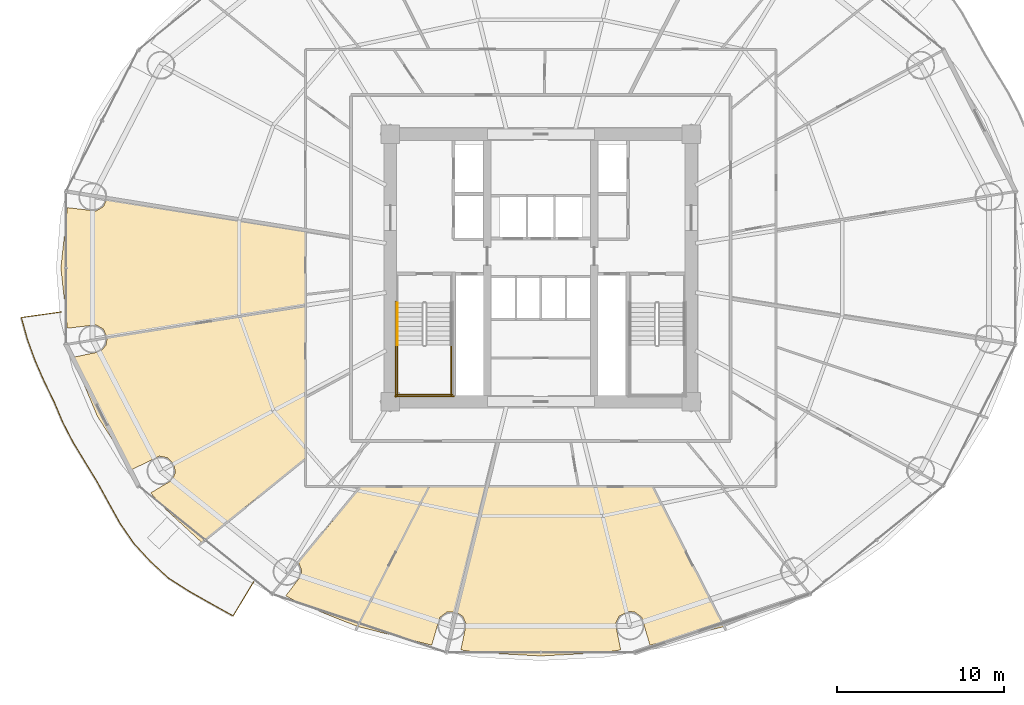
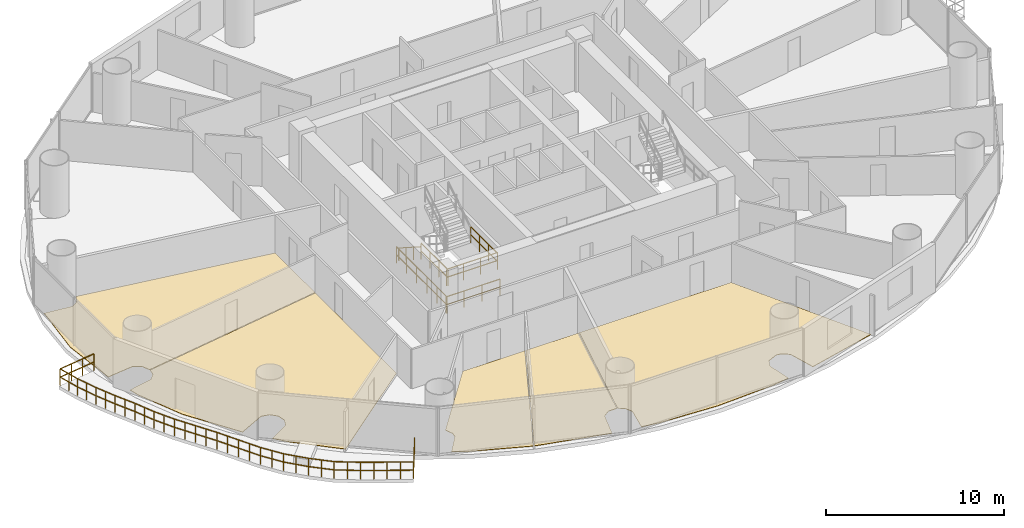
# One storey, part 27 of 30: 7 railings, 5 coverings.
"""IFC4 building model written with IfcOpenShell, lengths in metres."""

from ifc_helpers import new_model, si_unit, direction, frame, origin, origin_2d, place, context, subcontext, project, spatial, polyline, rectangle, outline, extrude, material, layer, layer_set, type_object, element, save


model = new_model("IFC4")

# Units and contexts
model_context = context("Model", 3, precision=1e-05, world=origin(), true_north=direction((-0.2419218956, 0.970295726276)))
body_context = subcontext(model_context, "Body", "Model", "MODEL_VIEW")
ifc_project = project(units=[si_unit("LENGTHUNIT", "METRE"), si_unit("AREAUNIT", "SQUARE_METRE"), si_unit("VOLUMEUNIT", "CUBIC_METRE"), si_unit("PLANEANGLEUNIT", "RADIAN"), si_unit("MASSUNIT", "GRAM", prefix="KILO")], contexts=[model_context])

# Site, building, storey
site_placement = place(None, origin())
site = spatial("IfcSite", under=ifc_project, at=site_placement, CompositionType="ELEMENT")
building_placement = place(site_placement, origin())
building = spatial("IfcBuilding", under=site, at=building_placement, Name="Cobrevalo Terracotta Tower", CompositionType="ELEMENT")
storey_placement = place(building_placement, frame((0.0, 0.0, 31.199951171875)))
storey = spatial("IfcBuildingStorey", under=building, at=storey_placement, Name="L07", CompositionType="ELEMENT", Elevation=31.199951171875)

# Railing
ifc_material_1 = material(Name="Laminated structural glass and stainless steel", Category="steel")
railing_type_1 = type_object("IfcRailingType", Name="Balcony lobe structural glass & terracotta-cap balustrade 1180 mm", PredefinedType="BALUSTRADE", material=ifc_material_1)
railing_1_placement = place(storey_placement, frame((9.30322265625, 24.166748046875, 0.0)))
element("IfcRailing", 1, at=railing_1_placement, inside=storey, type_object=railing_type_1, Name="L07 spiralling balcony lobe balustrade 2", PredefinedType="BALUSTRADE", context=body_context, shape_type="SweptSolid", body=[
    extrude(rectangle(XDim=0.048095703125, YDim=0.048095703125, at=origin_2d()), frame((0.0, 0.0, 1.15576171875), z_axis=(-0.990387818063, -0.138318364047, 0.0), x_axis=(0.138318364047, -0.990387818063, 0.0)), (0.0, 0.0, 1.0), 2.412841796875),
    extrude(rectangle(XDim=0.048095703125, YDim=0.048095703125, at=origin_2d()), frame((0.0, 0.0, 0.58984375), z_axis=(-0.990387818063, -0.138318364047, 0.0), x_axis=(0.138318364047, -0.990387818063, 0.0)), (0.0, 0.0, 1.0), 2.412841796875),
    extrude(rectangle(XDim=0.048095703125, YDim=0.048095703125, at=origin_2d()), frame((-2.3896484375, -0.333740234375, 1.15576171875), z_axis=(0.267736538798, -0.96349216177, 0.0), x_axis=(0.96349216177, 0.267736538798, 0.0)), (0.0, 0.0, 1.0), 1.358642578125),
    extrude(rectangle(XDim=0.048095703125, YDim=0.048095703125, at=origin_2d()), frame((-2.3896484375, -0.333740234375, 0.58984375), z_axis=(0.267736538798, -0.96349216177, 0.0), x_axis=(0.96349216177, 0.267736538798, 0.0)), (0.0, 0.0, 1.0), 1.358642578125),
    extrude(rectangle(XDim=0.048095703125, YDim=0.048095703125, at=origin_2d()), frame((-2.02587890625, -1.642822265625, 1.15576171875), z_axis=(0.342089262851, -0.939667460457, 0.0), x_axis=(0.939667460457, 0.342089262851, 0.0)), (0.0, 0.0, 1.0), 1.35888671875),
    extrude(rectangle(XDim=0.048095703125, YDim=0.048095703125, at=origin_2d()), frame((-2.02587890625, -1.642822265625, 0.58984375), z_axis=(0.342089262851, -0.939667460457, 0.0), x_axis=(0.939667460457, 0.342089262851, 0.0)), (0.0, 0.0, 1.0), 1.35888671875),
    extrude(rectangle(XDim=0.048095703125, YDim=0.048095703125, at=origin_2d()), frame((-1.56103515625, -2.919677734375, 1.15576171875), z_axis=(0.40003862441, -0.916498280948, 0.0), x_axis=(0.916498280948, 0.40003862441, 0.0)), (0.0, 0.0, 1.0), 1.34619140625),
    extrude(rectangle(XDim=0.048095703125, YDim=0.048095703125, at=origin_2d()), frame((-1.56103515625, -2.919677734375, 0.58984375), z_axis=(0.40003862441, -0.916498280948, 0.0), x_axis=(0.916498280948, 0.40003862441, 0.0)), (0.0, 0.0, 1.0), 1.34619140625),
    extrude(rectangle(XDim=0.048095703125, YDim=0.048095703125, at=origin_2d()), frame((-1.0224609375, -4.153564453125, 1.15576171875), z_axis=(0.437875913667, -0.899035418785, 0.0), x_axis=(0.899035418785, 0.437875913667, 0.0)), (0.0, 0.0, 1.0), 1.3525390625),
    extrude(rectangle(XDim=0.048095703125, YDim=0.048095703125, at=origin_2d()), frame((-1.0224609375, -4.153564453125, 0.58984375), z_axis=(0.437875913667, -0.899035418785, 0.0), x_axis=(0.899035418785, 0.437875913667, 0.0)), (0.0, 0.0, 1.0), 1.3525390625),
    extrude(rectangle(XDim=0.048095703125, YDim=0.048095703125, at=origin_2d()), frame((-0.43017578125, -5.36962890625, 1.15576171875), z_axis=(0.388162660742, -0.921590879298, 0.0), x_axis=(0.921590879298, 0.388162660742, 0.0)), (0.0, 0.0, 1.0), 1.3427734375),
    extrude(rectangle(XDim=0.048095703125, YDim=0.048095703125, at=origin_2d()), frame((-0.43017578125, -5.36962890625, 0.58984375), z_axis=(0.388162660742, -0.921590879298, 0.0), x_axis=(0.921590879298, 0.388162660742, 0.0)), (0.0, 0.0, 1.0), 1.3427734375),
    extrude(rectangle(XDim=0.048095703125, YDim=0.048095703125, at=origin_2d()), frame((0.091064453125, -6.607177734375, 1.15576171875), z_axis=(0.460375108491, -0.887724483994, 0.0), x_axis=(0.887724483994, 0.460375108491, 0.0)), (0.0, 0.0, 1.0), 1.352783203125),
    extrude(rectangle(XDim=0.048095703125, YDim=0.048095703125, at=origin_2d()), frame((0.091064453125, -6.607177734375, 0.58984375), z_axis=(0.460375108491, -0.887724483994, 0.0), x_axis=(0.887724483994, 0.460375108491, 0.0)), (0.0, 0.0, 1.0), 1.352783203125),
    extrude(rectangle(XDim=0.048095703125, YDim=0.048095703125, at=origin_2d()), frame((0.7138671875, -7.80810546875, 1.15576171875), z_axis=(0.519346255768, -0.854563904351, 0.0), x_axis=(0.854563904351, 0.519346255768, 0.0)), (0.0, 0.0, 1.0), 1.366943359375),
    extrude(rectangle(XDim=0.048095703125, YDim=0.048095703125, at=origin_2d()), frame((0.7138671875, -7.80810546875, 0.58984375), z_axis=(0.519346255768, -0.854563904351, 0.0), x_axis=(0.854563904351, 0.519346255768, 0.0)), (0.0, 0.0, 1.0), 1.366943359375),
    extrude(rectangle(XDim=0.048095703125, YDim=0.048095703125, at=origin_2d()), frame((1.423828125, -8.976318359375, 1.15576171875), z_axis=(0.520950785501, -0.85358671445, 0.0), x_axis=(0.85358671445, 0.520950785501, 0.0)), (0.0, 0.0, 1.0), 1.365234375),
    extrude(rectangle(XDim=0.048095703125, YDim=0.048095703125, at=origin_2d()), frame((1.423828125, -8.976318359375, 0.58984375), z_axis=(0.520950785501, -0.85358671445, 0.0), x_axis=(0.85358671445, 0.520950785501, 0.0)), (0.0, 0.0, 1.0), 1.365234375),
    extrude(rectangle(XDim=0.048095703125, YDim=0.048095703125, at=origin_2d()), frame((2.135009765625, -10.1416015625, 1.15576171875), z_axis=(0.481084803169, -0.876674062671, 0.0), x_axis=(0.876674062671, 0.481084803169, 0.0)), (0.0, 0.0, 1.0), 1.416259765625),
    extrude(rectangle(XDim=0.048095703125, YDim=0.048095703125, at=origin_2d()), frame((2.135009765625, -10.1416015625, 0.58984375), z_axis=(0.481084803169, -0.876674062671, 0.0), x_axis=(0.876674062671, 0.481084803169, 0.0)), (0.0, 0.0, 1.0), 1.416259765625),
    extrude(rectangle(XDim=0.048095703125, YDim=0.048095703125, at=origin_2d()), frame((2.81640625, -11.38330078125, 1.15576171875), z_axis=(0.484651234547, -0.874707483021, 0.0), x_axis=(0.874707483021, 0.484651234547, 0.0)), (0.0, 0.0, 1.0), 1.442626953125),
    extrude(rectangle(XDim=0.048095703125, YDim=0.048095703125, at=origin_2d()), frame((2.81640625, -11.38330078125, 0.58984375), z_axis=(0.484651234547, -0.874707483021, 0.0), x_axis=(0.874707483021, 0.484651234547, 0.0)), (0.0, 0.0, 1.0), 1.442626953125),
    extrude(rectangle(XDim=0.048095703125, YDim=0.048095703125, at=origin_2d()), frame((3.515625, -12.645263671875, 1.15576171875), z_axis=(0.565994587581, -0.824408956058, 0.0), x_axis=(0.824408956058, 0.565994587581, 0.0)), (0.0, 0.0, 1.0), 1.454833984375),
    extrude(rectangle(XDim=0.048095703125, YDim=0.048095703125, at=origin_2d()), frame((3.515625, -12.645263671875, 0.58984375), z_axis=(0.565994587581, -0.824408956058, 0.0), x_axis=(0.824408956058, 0.565994587581, 0.0)), (0.0, 0.0, 1.0), 1.454833984375),
    extrude(rectangle(XDim=0.048095703125, YDim=0.048095703125, at=origin_2d()), frame((4.339111328125, -13.8447265625, 1.15576171875), z_axis=(0.675724628517, -0.737154140201, 0.0), x_axis=(0.737154140201, 0.675724628517, 0.0)), (0.0, 0.0, 1.0), 1.470458984375),
    extrude(rectangle(XDim=0.048095703125, YDim=0.048095703125, at=origin_2d()), frame((4.339111328125, -13.8447265625, 0.58984375), z_axis=(0.675724628517, -0.737154140201, 0.0), x_axis=(0.737154140201, 0.675724628517, 0.0)), (0.0, 0.0, 1.0), 1.470458984375),
    extrude(rectangle(XDim=0.048095703125, YDim=0.048095703125, at=origin_2d()), frame((5.332763671875, -14.9287109375, 1.15576171875), z_axis=(0.734733305892, -0.678356078482, 0.0), x_axis=(0.678356078482, 0.734733305892, 0.0)), (0.0, 0.0, 1.0), 1.468017578125),
    extrude(rectangle(XDim=0.048095703125, YDim=0.048095703125, at=origin_2d()), frame((5.332763671875, -14.9287109375, 0.58984375), z_axis=(0.734733305892, -0.678356078482, 0.0), x_axis=(0.678356078482, 0.734733305892, 0.0)), (0.0, 0.0, 1.0), 1.468017578125),
    extrude(rectangle(XDim=0.048095703125, YDim=0.048095703125, at=origin_2d()), frame((6.411376953125, -15.924560546875, 1.15576171875), z_axis=(0.843755320131, -0.536728012825, 0.0), x_axis=(0.536728012825, 0.843755320131, 0.0)), (0.0, 0.0, 1.0), 1.499755859375),
    extrude(rectangle(XDim=0.048095703125, YDim=0.048095703125, at=origin_2d()), frame((6.411376953125, -15.924560546875, 0.58984375), z_axis=(0.843755320131, -0.536728012825, 0.0), x_axis=(0.536728012825, 0.843755320131, 0.0)), (0.0, 0.0, 1.0), 1.499755859375),
    extrude(rectangle(XDim=0.048095703125, YDim=0.048095703125, at=origin_2d()), frame((7.6767578125, -16.7294921875, 1.15576171875), z_axis=(0.870541580242, -0.492094865925, 0.0), x_axis=(0.492094865925, 0.870541580242, 0.0)), (0.0, 0.0, 1.0), 1.497314453125),
    extrude(rectangle(XDim=0.048095703125, YDim=0.048095703125, at=origin_2d()), frame((7.6767578125, -16.7294921875, 0.58984375), z_axis=(0.870541580242, -0.492094865925, 0.0), x_axis=(0.492094865925, 0.870541580242, 0.0)), (0.0, 0.0, 1.0), 1.497314453125),
    extrude(rectangle(XDim=0.048095703125, YDim=0.048095703125, at=origin_2d()), frame((8.980224609375, -17.46630859375, 1.15576171875), z_axis=(0.874226689931, -0.485517965283, 0.0), x_axis=(0.485517965283, 0.874226689931, 0.0)), (0.0, 0.0, 1.0), 1.492919921875),
    extrude(rectangle(XDim=0.048095703125, YDim=0.048095703125, at=origin_2d()), frame((8.980224609375, -17.46630859375, 0.58984375), z_axis=(0.874226689931, -0.485517965283, 0.0), x_axis=(0.485517965283, 0.874226689931, 0.0)), (0.0, 0.0, 1.0), 1.492919921875),
    extrude(rectangle(XDim=0.048095703125, YDim=0.048095703125, at=origin_2d()), frame((10.285400390625, -18.191162109375, 1.15576171875), z_axis=(0.515268758686, 0.857028649651, 0.0), x_axis=(-0.857028649651, 0.515268758686, 0.0)), (0.0, 0.0, 1.0), 2.3681640625),
    extrude(rectangle(XDim=0.048095703125, YDim=0.048095703125, at=origin_2d()), frame((10.285400390625, -18.191162109375, 0.58984375), z_axis=(0.515268758686, 0.857028649651, 0.0), x_axis=(-0.857028649651, 0.515268758686, 0.0)), (0.0, 0.0, 1.0), 2.3681640625),
    extrude(rectangle(XDim=0.0419921875, YDim=0.0419921875, at=origin_2d()), origin(), (0.0, 0.0, 1.0), 1.1318359375),
    extrude(rectangle(XDim=0.0419921875, YDim=0.0419921875, at=origin_2d()), frame((-0.796630859375, -0.111328125, 0.0)), (0.0, 0.0, 1.0), 1.1318359375),
    extrude(rectangle(XDim=0.0419921875, YDim=0.0419921875, at=origin_2d()), frame((-1.593017578125, -0.222412109375, 0.0)), (0.0, 0.0, 1.0), 1.1318359375),
    extrude(rectangle(XDim=0.0419921875, YDim=0.0419921875, at=origin_2d()), frame((-2.3896484375, -0.333740234375, 0.0)), (0.0, 0.0, 1.0), 1.1318359375),
    extrude(rectangle(XDim=0.0419921875, YDim=0.0419921875, at=origin_2d()), frame((-2.207763671875, -0.98828125, 0.0)), (0.0, 0.0, 1.0), 1.1318359375),
    extrude(rectangle(XDim=0.0419921875, YDim=0.0419921875, at=origin_2d()), frame((-2.02587890625, -1.642822265625, 0.0)), (0.0, 0.0, 1.0), 1.1318359375),
    extrude(rectangle(XDim=0.0419921875, YDim=0.0419921875, at=origin_2d()), frame((-1.79345703125, -2.28125, 0.0)), (0.0, 0.0, 1.0), 1.1318359375),
    extrude(rectangle(XDim=0.0419921875, YDim=0.0419921875, at=origin_2d()), frame((-1.56103515625, -2.919677734375, 0.0)), (0.0, 0.0, 1.0), 1.1318359375),
    extrude(rectangle(XDim=0.0419921875, YDim=0.0419921875, at=origin_2d()), frame((-1.291748046875, -3.53662109375, 0.0)), (0.0, 0.0, 1.0), 1.1318359375),
    extrude(rectangle(XDim=0.0419921875, YDim=0.0419921875, at=origin_2d()), frame((-1.0224609375, -4.153564453125, 0.0)), (0.0, 0.0, 1.0), 1.1318359375),
    extrude(rectangle(XDim=0.0419921875, YDim=0.0419921875, at=origin_2d()), frame((-0.726318359375, -4.76171875, 0.0)), (0.0, 0.0, 1.0), 1.1318359375),
    extrude(rectangle(XDim=0.0419921875, YDim=0.0419921875, at=origin_2d()), frame((-0.43017578125, -5.36962890625, 0.0)), (0.0, 0.0, 1.0), 1.1318359375),
    extrude(rectangle(XDim=0.0419921875, YDim=0.0419921875, at=origin_2d()), frame((-0.16943359375, -5.98828125, 0.0)), (0.0, 0.0, 1.0), 1.1318359375),
    extrude(rectangle(XDim=0.0419921875, YDim=0.0419921875, at=origin_2d()), frame((0.091064453125, -6.607177734375, 0.0)), (0.0, 0.0, 1.0), 1.1318359375),
    extrude(rectangle(XDim=0.0419921875, YDim=0.0419921875, at=origin_2d()), frame((0.40234375, -7.20751953125, 0.0)), (0.0, 0.0, 1.0), 1.1318359375),
    extrude(rectangle(XDim=0.0419921875, YDim=0.0419921875, at=origin_2d()), frame((0.7138671875, -7.80810546875, 0.0)), (0.0, 0.0, 1.0), 1.1318359375),
    extrude(rectangle(XDim=0.0419921875, YDim=0.0419921875, at=origin_2d()), frame((1.06884765625, -8.39208984375, 0.0)), (0.0, 0.0, 1.0), 1.1318359375),
    extrude(rectangle(XDim=0.0419921875, YDim=0.0419921875, at=origin_2d()), frame((1.423828125, -8.976318359375, 0.0)), (0.0, 0.0, 1.0), 1.1318359375),
    extrude(rectangle(XDim=0.0419921875, YDim=0.0419921875, at=origin_2d()), frame((1.779296875, -9.55908203125, 0.0)), (0.0, 0.0, 1.0), 1.1318359375),
    extrude(rectangle(XDim=0.0419921875, YDim=0.0419921875, at=origin_2d()), frame((2.135009765625, -10.1416015625, 0.0)), (0.0, 0.0, 1.0), 1.1318359375),
    extrude(rectangle(XDim=0.0419921875, YDim=0.0419921875, at=origin_2d()), frame((2.4755859375, -10.762451171875, 0.0)), (0.0, 0.0, 1.0), 1.1318359375),
    extrude(rectangle(XDim=0.0419921875, YDim=0.0419921875, at=origin_2d()), frame((2.81640625, -11.38330078125, 0.0)), (0.0, 0.0, 1.0), 1.1318359375),
    extrude(rectangle(XDim=0.0419921875, YDim=0.0419921875, at=origin_2d()), frame((3.166015625, -12.01416015625, 0.0)), (0.0, 0.0, 1.0), 1.1318359375),
    extrude(rectangle(XDim=0.0419921875, YDim=0.0419921875, at=origin_2d()), frame((3.515625, -12.645263671875, 0.0)), (0.0, 0.0, 1.0), 1.1318359375),
    extrude(rectangle(XDim=0.0419921875, YDim=0.0419921875, at=origin_2d()), frame((3.92724609375, -13.2451171875, 0.0)), (0.0, 0.0, 1.0), 1.1318359375),
    extrude(rectangle(XDim=0.0419921875, YDim=0.0419921875, at=origin_2d()), frame((4.339111328125, -13.8447265625, 0.0)), (0.0, 0.0, 1.0), 1.1318359375),
    extrude(rectangle(XDim=0.0419921875, YDim=0.0419921875, at=origin_2d()), frame((4.8359375, -14.38671875, 0.0)), (0.0, 0.0, 1.0), 1.1318359375),
    extrude(rectangle(XDim=0.0419921875, YDim=0.0419921875, at=origin_2d()), frame((5.332763671875, -14.9287109375, 0.0)), (0.0, 0.0, 1.0), 1.1318359375),
    extrude(rectangle(XDim=0.0419921875, YDim=0.0419921875, at=origin_2d()), frame((5.8720703125, -15.4267578125, 0.0)), (0.0, 0.0, 1.0), 1.1318359375),
    extrude(rectangle(XDim=0.0419921875, YDim=0.0419921875, at=origin_2d()), frame((6.411376953125, -15.924560546875, 0.0)), (0.0, 0.0, 1.0), 1.1318359375),
    extrude(rectangle(XDim=0.0419921875, YDim=0.0419921875, at=origin_2d()), frame((7.0439453125, -16.3271484375, 0.0)), (0.0, 0.0, 1.0), 1.1318359375),
    extrude(rectangle(XDim=0.0419921875, YDim=0.0419921875, at=origin_2d()), frame((7.6767578125, -16.7294921875, 0.0)), (0.0, 0.0, 1.0), 1.1318359375),
    extrude(rectangle(XDim=0.0419921875, YDim=0.0419921875, at=origin_2d()), frame((8.32861328125, -17.097900390625, 0.0)), (0.0, 0.0, 1.0), 1.1318359375),
    extrude(rectangle(XDim=0.0419921875, YDim=0.0419921875, at=origin_2d()), frame((8.980224609375, -17.46630859375, 0.0)), (0.0, 0.0, 1.0), 1.1318359375),
    extrude(rectangle(XDim=0.0419921875, YDim=0.0419921875, at=origin_2d()), frame((9.6328125, -17.82861328125, 0.0)), (0.0, 0.0, 1.0), 1.1318359375),
    extrude(rectangle(XDim=0.0419921875, YDim=0.0419921875, at=origin_2d()), frame((10.285400390625, -18.191162109375, 0.0)), (0.0, 0.0, 1.0), 1.1318359375),
    extrude(rectangle(XDim=0.0419921875, YDim=0.0419921875, at=origin_2d()), frame((10.8955078125, -17.17626953125, 0.0)), (0.0, 0.0, 1.0), 1.1318359375),
    extrude(rectangle(XDim=0.0419921875, YDim=0.0419921875, at=origin_2d()), frame((11.505615234375, -16.16162109375, 0.0)), (0.0, 0.0, 1.0), 1.1318359375),
])

# Coverings
ifc_material_2 = material(Name="Engineered Brazilian hardwood flooring", Category="wood")
ifc_layer = layer(ifc_material_2, 0.028076171875)
ifc_layer_set = layer_set([ifc_layer], Name="Engineered Brazilian hardwood flooring")
covering_type = type_object("IfcCoveringType", Name="Engineered Hardwood Suite Flooring 28", PredefinedType="FLOORING", material=ifc_layer_set)
covering_1_placement = place(storey_placement, origin())
element("IfcCovering", 2, at=covering_1_placement, inside=storey, type_object=covering_type, Name="Flat L07C Penthouse Living and Dining Room floor finish", PredefinedType="FLOORING", context=body_context, shape_type="SweptSolid", body=[
    extrude(outline(polyline([(9.280029296875, 26.800048828125), (9.668701171875, 30.4111328125), (11.380615234375, 30.206787109375), (11.821533203125, 30.465087890625), (12.047119140625, 30.963134765625), (23.89501953125, 29.05322265625), (23.89501953125, 24.546630859375), (12.047119140625, 22.636962890625), (11.821533203125, 23.135009765625), (11.380615234375, 23.39306640625), (9.668701171875, 23.18896484375), (9.280029296875, 26.800048828125)])), origin(), (0.0, 0.0, 1.0), 0.030029296875),
])
covering_2_placement = place(storey_placement, origin())
element("IfcCovering", 3, at=covering_2_placement, inside=storey, type_object=covering_type, Name="Flat L07C Private Cinema Room floor finish", PredefinedType="FLOORING", context=body_context, shape_type="SweptSolid", body=[
    extrude(outline(polyline([(15.213623046875, 12.666259765625), (14.65576171875, 13.341064453125), (15.939208984375, 14.10205078125), (16.135009765625, 14.573974609375), (16.03564453125, 15.0751953125), (15.674560546875, 15.436767578125), (15.173583984375, 15.53662109375), (13.511962890625, 14.7255859375), (11.465576171875, 17.91552734375), (10.25830078125, 20.791259765625), (10.090576171875, 21.473876953125), (11.6357421875, 21.787109375), (11.974853515625, 22.169189453125), (12.04931640625, 22.596923828125), (23.89501953125, 24.506103515625), (23.89501953125, 15.395751953125), (17.701416015625, 10.376953125), (15.213623046875, 12.666259765625)])), origin(), (0.0, 0.0, 1.0), 0.030029296875),
])
covering_3_placement = place(storey_placement, origin())
element("IfcCovering", 4, at=covering_3_placement, inside=storey, type_object=covering_type, Name="Flat L07C Penthouse Family Lounge floor finish", PredefinedType="FLOORING", context=body_context, shape_type="SweptSolid", body=[
    extrude(outline(polyline([(22.73681640625, 7.178955078125), (23.64501953125, 8.369140625), (23.681884765625, 8.71044921875), (23.4951171875, 9.177490234375), (27.219970703125, 13.695068359375), (31.27880859375, 13.695068359375), (27.0126953125, 5.3486328125), (23.638427734375, 6.691650390625), (22.73681640625, 7.178955078125)])), origin(), (0.0, 0.0, 1.0), 0.030029296875),
])
covering_4_placement = place(storey_placement, origin())
element("IfcCovering", 5, at=covering_4_placement, inside=storey, type_object=covering_type, Name="Flat L07C Penthouse Family Lounge floor finish", PredefinedType="FLOORING", context=body_context, shape_type="SweptSolid", body=[
    extrude(outline(polyline([(32.924560546875, 6.20703125), (32.36669921875, 6.197998046875), (31.95654296875, 5.89306640625), (31.472412109375, 4.2255859375), (27.051025390625, 5.336181640625), (31.32373046875, 13.695068359375), (34.762451171875, 13.695068359375), (32.924560546875, 6.20703125)])), origin(), (0.0, 0.0, 1.0), 0.030029296875),
])
covering_5_placement = place(storey_placement, origin())
element("IfcCovering", 6, at=covering_5_placement, inside=storey, type_object=covering_type, Name="Flat L07D Penthouse Living and Dining Room floor finish", PredefinedType="FLOORING", context=body_context, shape_type="SweptSolid", body=[
    extrude(outline(polyline([(44.527587890625, 4.2255859375), (44.04345703125, 5.89306640625), (43.63330078125, 6.197998046875), (43.293701171875, 6.2490234375), (42.6845703125, 5.9619140625), (42.46533203125, 5.500244140625), (42.78369140625, 3.945068359375), (41.749267578125, 3.77880859375), (38.0, 3.580078125), (34.250732421875, 3.77880859375), (33.21630859375, 3.945068359375), (33.53466796875, 5.500244140625), (33.3154296875, 5.9619140625), (32.96240234375, 6.193359375), (34.8037109375, 13.695068359375), (44.67626953125, 13.695068359375), (48.948974609375, 5.336181640625), (44.527587890625, 4.2255859375)])), origin(), (0.0, 0.0, 1.0), 0.030029296875),
])

# Railings
ifc_material_3 = material(Name="Brushed stainless steel", Category="steel")
railing_type_2 = type_object("IfcRailingType", Name="Stainless Steel Stair Handrail 900", PredefinedType="HANDRAIL", material=ifc_material_3)
railing_2_placement = place(storey_placement, frame((29.425048828125, 24.699951171875, 0.179931640625)))
element("IfcRailing", 7, at=railing_2_placement, inside=storey, type_object=railing_type_2, Name="L07 ST-1 stair handrail 1", PredefinedType="HANDRAIL", context=body_context, shape_type="SweptSolid", body=[
    extrude(rectangle(XDim=0.048095703125, YDim=0.048095703125, at=origin_2d()), frame((0.0, 0.0, 0.8759765625), z_axis=(0.0, -0.841162588446, 0.540782303519), x_axis=(1.0, 0.0, 0.0)), (0.0, 0.0, 1.0), 2.995849609375),
    extrude(rectangle(XDim=0.0419921875, YDim=0.0419921875, at=origin_2d()), origin(), (0.0, 0.0, 1.0), 0.851806640625),
    extrude(rectangle(XDim=0.0419921875, YDim=0.0419921875, at=origin_2d()), frame((0.0, -0.840087890625, 0.5400390625)), (0.0, 0.0, 1.0), 0.851806640625),
    extrude(rectangle(XDim=0.0419921875, YDim=0.0419921875, at=origin_2d()), frame((0.0, -1.679931640625, 1.080078125)), (0.0, 0.0, 1.0), 0.851806640625),
    extrude(rectangle(XDim=0.0419921875, YDim=0.0419921875, at=origin_2d()), frame((0.0, -2.52001953125, 1.6201171875)), (0.0, 0.0, 1.0), 0.851806640625),
])
ifc_material_4 = material(Name="Painted galvanized steel", Category="steel")
railing_type_3 = type_object("IfcRailingType", Name="Stair Well Guard Balustrade 1150", PredefinedType="GUARDRAIL", material=ifc_material_4)
for number, where, name in (
    (8, (29.425048828125, 22.179931640625, 1.800048828125), "L07 ST-1 stair guard 3"),
    (9, (32.64501953125, 22.179931640625, 1.800048828125), "L07 ST-1 stair guard 4"),
):
    element("IfcRailing", number, at=place(storey_placement, frame(where)), inside=storey, type_object=railing_type_3, Name=name, PredefinedType="GUARDRAIL", context=body_context, shape_type="SweptSolid", body=[
        extrude(rectangle(XDim=0.048095703125, YDim=0.048095703125, at=origin_2d()), frame((0.0, 0.0, 1.1259765625), z_axis=(0.0, -1.0, 0.0), x_axis=(1.0, 0.0, 0.0)), (0.0, 0.0, 1.0), 3.0048828125),
        extrude(rectangle(XDim=0.048095703125, YDim=0.048095703125, at=origin_2d()), frame((0.0, 0.0, 0.574951171875), z_axis=(0.0, -1.0, 0.0), x_axis=(1.0, 0.0, 0.0)), (0.0, 0.0, 1.0), 3.0048828125),
        extrude(rectangle(XDim=0.0419921875, YDim=0.0419921875, at=origin_2d()), origin(), (0.0, 0.0, 1.0), 1.101806640625),
        extrude(rectangle(XDim=0.0419921875, YDim=0.0419921875, at=origin_2d()), frame((0.0, -1.001708984375, 0.0)), (0.0, 0.0, 1.0), 1.101806640625),
        extrude(rectangle(XDim=0.0419921875, YDim=0.0419921875, at=origin_2d()), frame((0.0, -2.003173828125, 0.0)), (0.0, 0.0, 1.0), 1.101806640625),
        extrude(rectangle(XDim=0.0419921875, YDim=0.0419921875, at=origin_2d()), frame((0.0, -3.0048828125, 0.0)), (0.0, 0.0, 1.0), 1.101806640625),
    ])
railing_3_placement = place(storey_placement, frame((29.375, 19.22509765625, 1.800048828125)))
element("IfcRailing", 10, at=railing_3_placement, inside=storey, type_object=railing_type_3, Name="L07 ST-1 stair guard 5", PredefinedType="GUARDRAIL", context=body_context, shape_type="SweptSolid", body=[
    extrude(rectangle(XDim=0.048095703125, YDim=0.048095703125, at=origin_2d()), frame((0.0, 0.0, 1.1259765625), z_axis=(1.0, 0.0, 0.0), x_axis=(0.0, 1.0, 0.0)), (0.0, 0.0, 1.0), 3.320068359375),
    extrude(rectangle(XDim=0.048095703125, YDim=0.048095703125, at=origin_2d()), frame((0.0, 0.0, 0.574951171875), z_axis=(1.0, 0.0, 0.0), x_axis=(0.0, 1.0, 0.0)), (0.0, 0.0, 1.0), 3.320068359375),
    extrude(rectangle(XDim=0.0419921875, YDim=0.0419921875, at=origin_2d()), origin(), (0.0, 0.0, 1.0), 1.101806640625),
    extrude(rectangle(XDim=0.0419921875, YDim=0.0419921875, at=origin_2d()), frame((1.106689453125, 0.0, 0.0)), (0.0, 0.0, 1.0), 1.101806640625),
    extrude(rectangle(XDim=0.0419921875, YDim=0.0419921875, at=origin_2d()), frame((2.21337890625, 0.0, 0.0)), (0.0, 0.0, 1.0), 1.101806640625),
    extrude(rectangle(XDim=0.0419921875, YDim=0.0419921875, at=origin_2d()), frame((3.320068359375, 0.0, 0.0)), (0.0, 0.0, 1.0), 1.101806640625),
])
railing_4_placement = place(storey_placement, frame((29.324951171875, 24.800048828125, 0.0)))
element("IfcRailing", 11, at=railing_4_placement, inside=storey, type_object=railing_type_3, Name="L07 ST-1 stair guard 10", PredefinedType="GUARDRAIL", context=body_context, shape_type="SweptSolid", body=[
    extrude(rectangle(XDim=0.048095703125, YDim=0.048095703125, at=origin_2d()), frame((0.0, 0.0, 1.1259765625), z_axis=(0.0, -1.0, 0.0), x_axis=(1.0, 0.0, 0.0)), (0.0, 0.0, 1.0), 5.72509765625),
    extrude(rectangle(XDim=0.048095703125, YDim=0.048095703125, at=origin_2d()), frame((0.0, 0.0, 0.574951171875), z_axis=(0.0, -1.0, 0.0), x_axis=(1.0, 0.0, 0.0)), (0.0, 0.0, 1.0), 5.72509765625),
    extrude(rectangle(XDim=0.0419921875, YDim=0.0419921875, at=origin_2d()), origin(), (0.0, 0.0, 1.0), 1.101806640625),
    extrude(rectangle(XDim=0.0419921875, YDim=0.0419921875, at=origin_2d()), frame((0.0, -1.14501953125, 0.0)), (0.0, 0.0, 1.0), 1.101806640625),
    extrude(rectangle(XDim=0.0419921875, YDim=0.0419921875, at=origin_2d()), frame((0.0, -2.2900390625, 0.0)), (0.0, 0.0, 1.0), 1.101806640625),
    extrude(rectangle(XDim=0.0419921875, YDim=0.0419921875, at=origin_2d()), frame((0.0, -3.43505859375, 0.0)), (0.0, 0.0, 1.0), 1.101806640625),
    extrude(rectangle(XDim=0.0419921875, YDim=0.0419921875, at=origin_2d()), frame((0.0, -4.580078125, 0.0)), (0.0, 0.0, 1.0), 1.101806640625),
    extrude(rectangle(XDim=0.0419921875, YDim=0.0419921875, at=origin_2d()), frame((0.0, -5.72509765625, 0.0)), (0.0, 0.0, 1.0), 1.101806640625),
])
railing_5_placement = place(storey_placement, frame((29.27490234375, 19.125, 0.0)))
element("IfcRailing", 12, at=railing_5_placement, inside=storey, type_object=railing_type_3, Name="L07 ST-1 stair guard 12", PredefinedType="GUARDRAIL", context=body_context, shape_type="SweptSolid", body=[
    extrude(rectangle(XDim=0.048095703125, YDim=0.048095703125, at=origin_2d()), frame((0.0, 0.0, 1.1259765625), z_axis=(1.0, 0.0, 0.0), x_axis=(0.0, 1.0, 0.0)), (0.0, 0.0, 1.0), 3.52001953125),
    extrude(rectangle(XDim=0.048095703125, YDim=0.048095703125, at=origin_2d()), frame((0.0, 0.0, 0.574951171875), z_axis=(1.0, 0.0, 0.0), x_axis=(0.0, 1.0, 0.0)), (0.0, 0.0, 1.0), 3.52001953125),
    extrude(rectangle(XDim=0.0419921875, YDim=0.0419921875, at=origin_2d()), origin(), (0.0, 0.0, 1.0), 1.101806640625),
    extrude(rectangle(XDim=0.0419921875, YDim=0.0419921875, at=origin_2d()), frame((1.17333984375, 0.0, 0.0)), (0.0, 0.0, 1.0), 1.101806640625),
    extrude(rectangle(XDim=0.0419921875, YDim=0.0419921875, at=origin_2d()), frame((2.3466796875, 0.0, 0.0)), (0.0, 0.0, 1.0), 1.101806640625),
    extrude(rectangle(XDim=0.0419921875, YDim=0.0419921875, at=origin_2d()), frame((3.52001953125, 0.0, 0.0)), (0.0, 0.0, 1.0), 1.101806640625),
])

save(model, "model.ifc")
